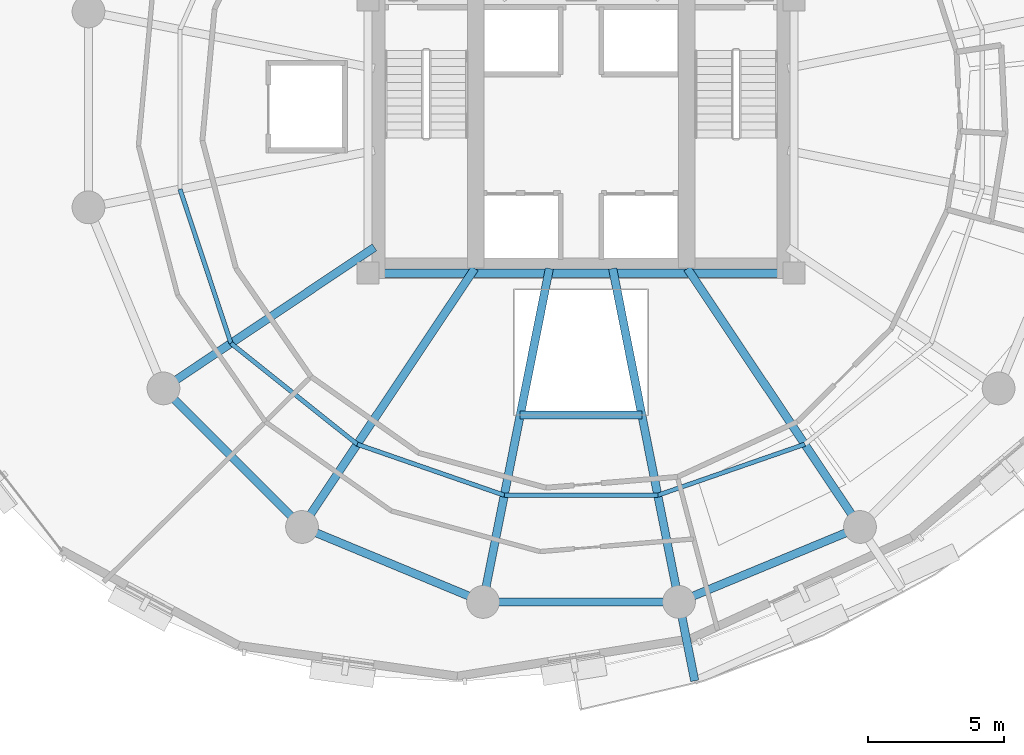
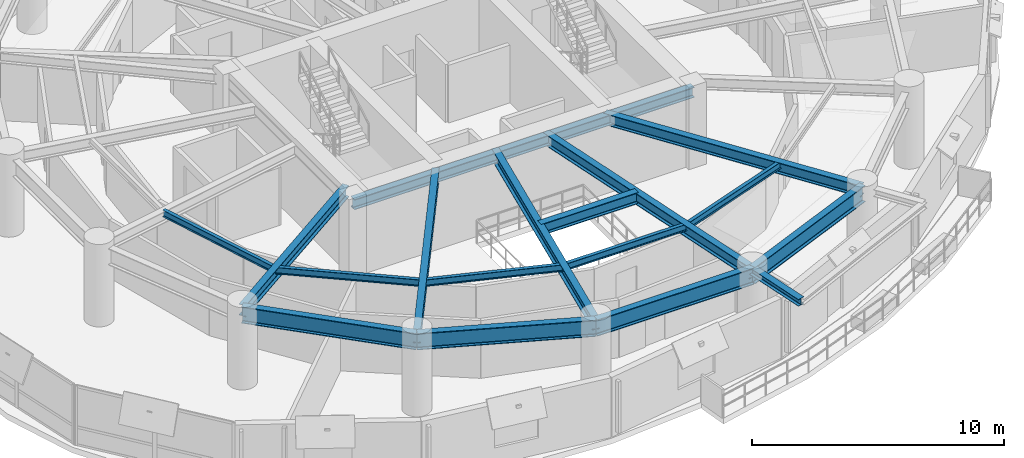
# One storey, part 3 of 14: 17 beams.
"""IFC4 building model written with IfcOpenShell, lengths in metres."""

from ifc_helpers import new_model, si_unit, direction, frame, origin, origin_2d, place, context, subcontext, project, spatial, i_section, extrude, material, material_profile, profile_set, type_object, element, save


model = new_model("IFC4")

# Units and contexts
model_context = context("Model", 3, precision=1e-05, world=origin(), true_north=direction((0.0, 1.0)))
body_context = subcontext(model_context, "Body", "Model", "MODEL_VIEW")
ifc_project = project(units=[si_unit("LENGTHUNIT", "METRE"), si_unit("AREAUNIT", "SQUARE_METRE"), si_unit("VOLUMEUNIT", "CUBIC_METRE"), si_unit("PLANEANGLEUNIT", "RADIAN"), si_unit("MASSUNIT", "GRAM", prefix="KILO"), si_unit("THERMODYNAMICTEMPERATUREUNIT", "KELVIN"), si_unit("POWERUNIT", "WATT")], contexts=[model_context])

# Site, building, storey
site_placement = place(None, origin())
site = spatial("IfcSite", under=ifc_project, at=site_placement, CompositionType="ELEMENT")
building_placement = place(site_placement, origin())
building = spatial("IfcBuilding", under=site, at=building_placement, Name="Ocrelia Relay Tower", CompositionType="ELEMENT")
storey_placement = place(building_placement, frame((0.0, 0.0, 137.800048828125)))
storey = spatial("IfcBuildingStorey", under=building, at=storey_placement, Name="L32", CompositionType="ELEMENT", Elevation=137.800048828125)

# Beams
ifc_material = material(Name="Steel S355", Category="steel")
ifc_material_profile_1 = material_profile(ifc_material, i_section(OverallWidth=0.300048828125, OverallDepth=0.330078125, WebThickness=0.009521484375, FlangeThickness=0.0166015625, FilletRadius=0.027099609375, at=origin_2d()), Name="HEA 340")
ifc_profile_set_1 = profile_set([ifc_material_profile_1], Name="Steel S355")
beam_type_1 = type_object("IfcBeamType", Name="BM-HEA340", PredefinedType="BEAM", material=ifc_profile_set_1)
beam_1_placement = place(storey_placement, frame((37.589599609375, 7.95361328125, 3.554931640625), z_axis=(0.195160248671, -0.980771368535, 0.0), x_axis=(0.980771368535, 0.195160248671, 0.0)))
element("IfcBeam", 1, at=beam_1_placement, inside=storey, type_object=beam_type_1, Name="L33 Balcony Cantilever Beam B2-1", PredefinedType="BEAM", context=body_context, shape_type="SweptSolid", body=[
    extrude(i_section(OverallWidth=0.300048828125, OverallDepth=0.330078125, WebThickness=0.009521484375, FlangeThickness=0.0166015625, FilletRadius=0.027099609375, at=origin_2d()), origin(), (0.0, 0.0, 1.0), 2.947265625),
])
ifc_material_profile_2 = material_profile(ifc_material, i_section(OverallWidth=0.300048828125, OverallDepth=0.5, WebThickness=0.014404296875, FlangeThickness=0.028076171875, FilletRadius=0.027099609375, at=origin_2d()), Name="HEB 500")
ifc_profile_set_2 = profile_set([ifc_material_profile_2], Name="Steel S355")
beam_type_2 = type_object("IfcBeamType", Name="BM-HEB500", PredefinedType="BEAM", material=ifc_profile_set_2)
beam_2_placement = place(storey_placement, frame((26.199951171875, 20.0, 3.469970703125), z_axis=(1.0, 0.0, 0.0), x_axis=(0.0, 1.0, 0.0)))
element("IfcBeam", 2, at=beam_2_placement, inside=storey, type_object=beam_type_2, Name="L32 Core Pilaster Tie Beam S", PredefinedType="BEAM", context=body_context, shape_type="SweptSolid", body=[
    extrude(i_section(OverallWidth=0.300048828125, OverallDepth=0.5, WebThickness=0.014404296875, FlangeThickness=0.028076171875, FilletRadius=0.027099609375, at=origin_2d()), origin(), (0.0, 0.0, 1.0), 15.60009765625),
])
ifc_material_profile_3 = material_profile(ifc_material, i_section(OverallWidth=0.300048828125, OverallDepth=0.550048828125, WebThickness=0.014892578125, FlangeThickness=0.029052734375, FilletRadius=0.027099609375, at=origin_2d()), Name="HEB 550")
ifc_profile_set_3 = profile_set([ifc_material_profile_3], Name="Steel S355")
beam_type_3 = type_object("IfcBeamType", Name="BM-HEB550", PredefinedType="BEAM", material=ifc_profile_set_3)
beam_3_placement = place(storey_placement, frame((18.700927734375, 15.777587890625, 3.445068359375), z_axis=(0.831472030531, 0.555566613868, 0.0), x_axis=(-0.555566613868, 0.831472030531, 0.0)))
element("IfcBeam", 3, at=beam_3_placement, inside=storey, type_object=beam_type_3, Name="L32 Radial Floor Girder R10", PredefinedType="BEAM", context=body_context, shape_type="SweptSolid", body=[
    extrude(i_section(OverallWidth=0.300048828125, OverallDepth=0.550048828125, WebThickness=0.014892578125, FlangeThickness=0.029052734375, FilletRadius=0.027099609375, at=origin_2d()), origin(), (0.0, 0.0, 1.0), 9.295654296875),
])
beam_4_placement = place(storey_placement, frame((23.777587890625, 10.700927734375, 3.445068359375), z_axis=(0.555565661158, 0.831472667105, 0.0), x_axis=(-0.831472667105, 0.555565661158, 0.0)))
element("IfcBeam", 4, at=beam_4_placement, inside=storey, type_object=beam_type_3, Name="L32 Radial Floor Girder R11", PredefinedType="BEAM", context=body_context, shape_type="SweptSolid", body=[
    extrude(i_section(OverallWidth=0.300048828125, OverallDepth=0.550048828125, WebThickness=0.014892578125, FlangeThickness=0.029052734375, FilletRadius=0.027099609375, at=origin_2d()), origin(), (0.0, 0.0, 1.0), 11.38818359375),
])
for number, where, z_axis, x_axis, name in (
    (5, (30.410400390625, 7.95361328125, 3.445068359375), (0.195086983979, 0.980785944374, 0.0), (-0.980785944374, 0.195086983979, 0.0), "L32 Radial Floor Girder R12"),
    (6, (37.589599609375, 7.95361328125, 3.445068359375), (-0.195086983979, 0.980785944374, 0.0), (-0.980785944374, -0.195086983979, 0.0), "L32 Radial Floor Girder R13"),
):
    element("IfcBeam", number, at=place(storey_placement, frame(where, z_axis=z_axis, x_axis=x_axis)), inside=storey, type_object=beam_type_3, Name=name, PredefinedType="BEAM", context=body_context, shape_type="SweptSolid", body=[
        extrude(i_section(OverallWidth=0.300048828125, OverallDepth=0.550048828125, WebThickness=0.014892578125, FlangeThickness=0.029052734375, FilletRadius=0.027099609375, at=origin_2d()), origin(), (0.0, 0.0, 1.0), 12.45556640625),
    ])
beam_5_placement = place(storey_placement, frame((44.222412109375, 10.700927734375, 3.445068359375), z_axis=(-0.555565661158, 0.831472667105, 0.0), x_axis=(-0.831472667105, -0.555565661158, 0.0)))
element("IfcBeam", 7, at=beam_5_placement, inside=storey, type_object=beam_type_3, Name="L32 Radial Floor Girder R14", PredefinedType="BEAM", context=body_context, shape_type="SweptSolid", body=[
    extrude(i_section(OverallWidth=0.300048828125, OverallDepth=0.550048828125, WebThickness=0.014892578125, FlangeThickness=0.029052734375, FilletRadius=0.027099609375, at=origin_2d()), origin(), (0.0, 0.0, 1.0), 11.38818359375),
])
beam_6_placement = place(storey_placement, frame((31.772216796875, 14.800048828125, 3.445068359375), z_axis=(1.0, 0.0, 0.0), x_axis=(0.0, 1.0, 0.0)))
element("IfcBeam", 8, at=beam_6_placement, inside=storey, type_object=beam_type_3, Name="L32 Atrium South Trimmer Beam", PredefinedType="BEAM", context=body_context, shape_type="SweptSolid", body=[
    extrude(i_section(OverallWidth=0.300048828125, OverallDepth=0.550048828125, WebThickness=0.014892578125, FlangeThickness=0.029052734375, FilletRadius=0.027099609375, at=origin_2d()), origin(), (0.0, 0.0, 1.0), 4.45556640625),
])
ifc_material_profile_4 = material_profile(ifc_material, i_section(OverallWidth=0.300048828125, OverallDepth=0.800048828125, WebThickness=0.017578125, FlangeThickness=0.032958984375, FilletRadius=0.030029296875, at=origin_2d()), Name="HEB 800")
ifc_profile_set_4 = profile_set([ifc_material_profile_4], Name="Steel S355")
beam_type_4 = type_object("IfcBeamType", Name="BM-HEB800", PredefinedType="BEAM", material=ifc_profile_set_4)
beam_7_placement = place(storey_placement, frame((18.700927734375, 15.777587890625, 3.320068359375), z_axis=(0.707106781187, -0.707106781187, 0.0), x_axis=(0.707106781187, 0.707106781187, 0.0)))
element("IfcBeam", 9, at=beam_7_placement, inside=storey, type_object=beam_type_4, Name="L32 Perimeter Spandrel Beam S10", PredefinedType="BEAM", context=body_context, shape_type="SweptSolid", body=[
    extrude(i_section(OverallWidth=0.300048828125, OverallDepth=0.800048828125, WebThickness=0.017578125, FlangeThickness=0.032958984375, FilletRadius=0.030029296875, at=origin_2d()), origin(), (0.0, 0.0, 1.0), 7.179443359375),
])
for number, where, z_axis, x_axis, name in (
    (10, (23.777587890625, 10.700927734375, 3.320068359375), (0.923883789366, -0.382673155247, 0.0), (0.382673155247, 0.923883789366, 0.0), "L32 Perimeter Spandrel Beam S11"),
    (11, (30.410400390625, 7.95361328125, 3.320068359375), (1.0, 0.0, 0.0), (0.0, 1.0, 0.0), "L32 Perimeter Spandrel Beam S12"),
    (12, (37.589599609375, 7.95361328125, 3.320068359375), (0.923883789366, 0.382673155247, 0.0), (-0.382673155247, 0.923883789366, 0.0), "L32 Perimeter Spandrel Beam S13"),
):
    element("IfcBeam", number, at=place(storey_placement, frame(where, z_axis=z_axis, x_axis=x_axis)), inside=storey, type_object=beam_type_4, Name=name, PredefinedType="BEAM", context=body_context, shape_type="SweptSolid", body=[
        extrude(i_section(OverallWidth=0.300048828125, OverallDepth=0.800048828125, WebThickness=0.017578125, FlangeThickness=0.032958984375, FilletRadius=0.030029296875, at=origin_2d()), origin(), (0.0, 0.0, 1.0), 7.17919921875),
    ])
ifc_material_profile_5 = material_profile(ifc_material, i_section(OverallWidth=0.159912109375, OverallDepth=0.330078125, WebThickness=0.007568359375, FlangeThickness=0.011474609375, FilletRadius=0.01806640625, at=origin_2d()), Name="IPE 330")
ifc_profile_set_5 = profile_set([ifc_material_profile_5], Name="Steel S355")
beam_type_5 = type_object("IfcBeamType", Name="BM-IPE330", PredefinedType="JOIST", material=ifc_profile_set_5)
beam_8_placement = place(storey_placement, frame((19.305908203125, 23.0771484375, 3.554931640625), z_axis=(0.314121352003, -0.949382839647, 0.0), x_axis=(0.949382839647, 0.314121352003, 0.0)))
element("IfcBeam", 13, at=beam_8_placement, inside=storey, type_object=beam_type_5, Name="L32 Secondary Floor Joist J09", PredefinedType="JOIST", context=body_context, shape_type="SweptSolid", body=[
    extrude(i_section(OverallWidth=0.159912109375, OverallDepth=0.330078125, WebThickness=0.007568359375, FlangeThickness=0.011474609375, FilletRadius=0.01806640625, at=origin_2d()), origin(), (0.0, 0.0, 1.0), 5.947998046875),
])
beam_9_placement = place(storey_placement, frame((21.17431640625, 17.43017578125, 3.554931640625), z_axis=(0.781130070991, -0.62436833055, 0.0), x_axis=(0.62436833055, 0.781130070991, 0.0)))
element("IfcBeam", 14, at=beam_9_placement, inside=storey, type_object=beam_type_5, Name="L32 Secondary Floor Joist J10", PredefinedType="JOIST", context=body_context, shape_type="SweptSolid", body=[
    extrude(i_section(OverallWidth=0.159912109375, OverallDepth=0.330078125, WebThickness=0.007568359375, FlangeThickness=0.011474609375, FilletRadius=0.01806640625, at=origin_2d()), origin(), (0.0, 0.0, 1.0), 5.92431640625),
])
beam_10_placement = place(storey_placement, frame((25.802001953125, 13.731201171875, 3.554931640625), z_axis=(0.944767437111, -0.327741498401, 0.0), x_axis=(0.327741498401, 0.944767437111, 0.0)))
element("IfcBeam", 15, at=beam_10_placement, inside=storey, type_object=beam_type_5, Name="L32 Secondary Floor Joist J11", PredefinedType="JOIST", context=body_context, shape_type="SweptSolid", body=[
    extrude(i_section(OverallWidth=0.159912109375, OverallDepth=0.330078125, WebThickness=0.007568359375, FlangeThickness=0.011474609375, FilletRadius=0.01806640625, at=origin_2d()), origin(), (0.0, 0.0, 1.0), 5.700927734375),
])
beam_11_placement = place(storey_placement, frame((31.18798828125, 11.86279296875, 3.554931640625), z_axis=(1.0, 0.0, 0.0), x_axis=(0.0, 1.0, 0.0)))
element("IfcBeam", 16, at=beam_11_placement, inside=storey, type_object=beam_type_5, Name="L32 Secondary Floor Joist J12", PredefinedType="JOIST", context=body_context, shape_type="SweptSolid", body=[
    extrude(i_section(OverallWidth=0.159912109375, OverallDepth=0.330078125, WebThickness=0.007568359375, FlangeThickness=0.011474609375, FilletRadius=0.01806640625, at=origin_2d()), origin(), (0.0, 0.0, 1.0), 5.6240234375),
])
beam_12_placement = place(storey_placement, frame((36.81201171875, 11.86279296875, 3.554931640625), z_axis=(0.944767437111, 0.327741498401, 0.0), x_axis=(-0.327741498401, 0.944767437111, 0.0)))
element("IfcBeam", 17, at=beam_12_placement, inside=storey, type_object=beam_type_5, Name="L32 Secondary Floor Joist J13", PredefinedType="JOIST", context=body_context, shape_type="SweptSolid", body=[
    extrude(i_section(OverallWidth=0.159912109375, OverallDepth=0.330078125, WebThickness=0.007568359375, FlangeThickness=0.011474609375, FilletRadius=0.01806640625, at=origin_2d()), origin(), (0.0, 0.0, 1.0), 5.700927734375),
])

save(model, "model.ifc")
